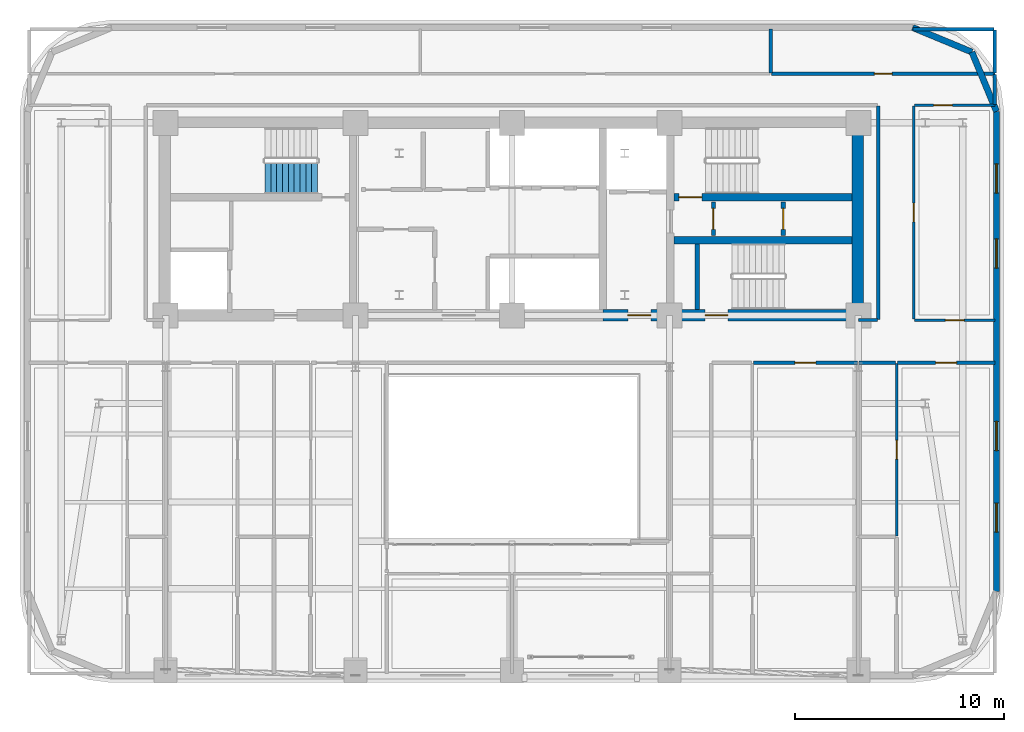
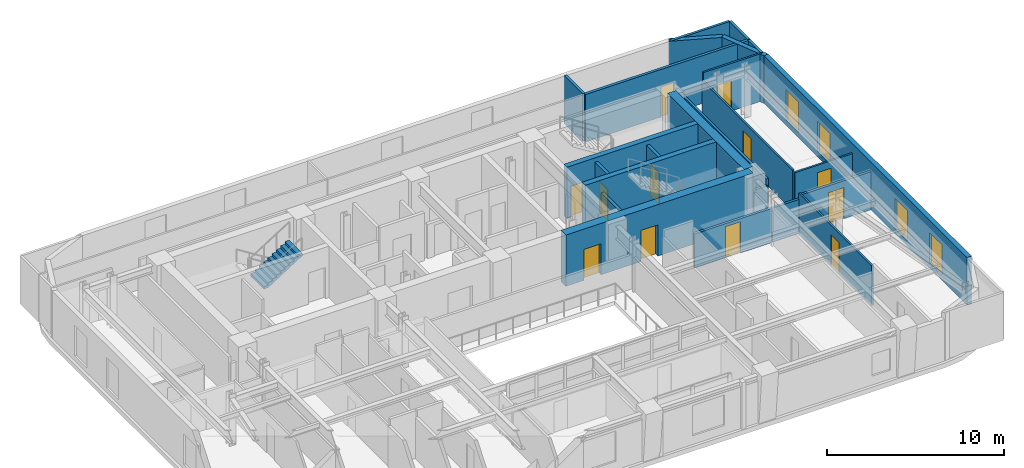
# One storey, part 9 of 13: 24 walls, 12 doors, 4 windows, 1 stair flight, 16 openings, 1 element without a shape of its own.
"""IFC4 building model written with IfcOpenShell, lengths in metres."""

from ifc_helpers import new_model, si_unit, direction, frame, frame_2d, origin, place, context, subcontext, project, spatial, polyline, rectangle, outline, extrude, material, layer, layer_set, type_object, element, fill, aggregate, save


model = new_model("IFC4")

# Units and contexts
model_context = context("Model", 3, precision=1e-05, world=origin(), true_north=direction((0.0, 1.0)))
body_context = subcontext(model_context, "Body", "Model", "MODEL_VIEW")
ifc_project = project(units=[si_unit("LENGTHUNIT", "METRE"), si_unit("AREAUNIT", "SQUARE_METRE"), si_unit("VOLUMEUNIT", "CUBIC_METRE"), si_unit("PLANEANGLEUNIT", "RADIAN"), si_unit("MASSUNIT", "GRAM", prefix="KILO")], contexts=[model_context])

# Site, building, storey
site_placement = place(None, origin())
site = spatial("IfcSite", under=ifc_project, at=site_placement, CompositionType="ELEMENT")
building_placement = place(site_placement, origin())
building = spatial("IfcBuilding", under=site, at=building_placement, Name="Zarnavel Station Tower", CompositionType="ELEMENT")
storey_placement = place(building_placement, frame((0.0, 0.0, 169.64990234375)))
storey = spatial("IfcBuildingStorey", under=building, at=storey_placement, Name="L46", CompositionType="ELEMENT", Elevation=169.64990234375)

# Wall, opening, door
ifc_material_1 = material(Name="Concrete C50/60", Category="concrete")
ifc_layer_1 = layer(ifc_material_1, 0.35009765625)
ifc_layer_set_1 = layer_set([ifc_layer_1], Name="CW_350")
wall_type_1 = type_object("IfcWallType", Name="CW_350", PredefinedType="SHEAR", material=ifc_layer_set_1)
wall_1_placement = place(storey_placement, frame((45.10498046875, 33.47998046875, 0.0), z_axis=(0.0, 0.0, 1.0), x_axis=(-1.0, 0.0, 0.0)))
wall_1 = element("IfcWall", 1, at=wall_1_placement, inside=storey, type_object=wall_type_1, Name="L46 Rear Core Shear Wall DIV-H2", PredefinedType="SHEAR", context=body_context, shape_type="SweptSolid", body=[
    extrude(rectangle(XDim=8.550048828125, YDim=0.35009765625, at=frame_2d((4.27490234375, 0.0))), origin(), (0.0, 0.0, 1.0), 3.550048828125),
])
opening_1_placement = place(wall_1_placement, frame((7.205078125, 0.0, 0.0)))
opening_1 = element("IfcOpeningElement", 2, at=opening_1_placement, cuts=wall_1, Name="Opening FD01", PredefinedType="OPENING", context=body_context, shape_type="SweptSolid", body=[
    extrude(rectangle(XDim=1.10009765625, YDim=2.14990234375, at=frame_2d((0.550048828125, 1.074951171875))), frame((0.0, 0.18505859375, 0.0), z_axis=(0.0, -1.0, 0.0), x_axis=(1.0, 0.0, 0.0)), (0.0, 0.0, 1.0), 0.3701171875),
])
ifc_material_2 = material(Name="Painted Galvanised Steel and Hardwood Leaf", Category="steel")
door_type_1 = type_object("IfcDoorType", Name="ID_STAIR_1100", OperationType="NOTDEFINED", PredefinedType="DOOR", material=ifc_material_2)
door_1_placement = place(opening_1_placement, origin())
door_1 = element("IfcDoor", 3, at=door_1_placement, inside=storey, type_object=door_type_1, Name="L46 Stair ST2 Lobby Fire Door", OperationType="SINGLE_SWING_RIGHT", OverallHeight=2.14990234375, OverallWidth=1.10009765625, PredefinedType="DOOR", context=body_context, shape_type="SweptSolid", body=[
    extrude(rectangle(XDim=1.10009765625, YDim=2.14990234375, at=frame_2d((0.550048828125, 1.074951171875))), frame((0.0, 0.02490234375, 0.0), z_axis=(0.0, -1.0, 0.0), x_axis=(1.0, 0.0, 0.0)), (0.0, 0.0, 1.0), 0.050048828125),
])
fill(opening_1, door_1)

# Wall
wall_2_placement = place(storey_placement, frame((36.554931640625, 31.419921875, 0.0), z_axis=(0.0, 0.0, 1.0), x_axis=(1.0, 0.0, 0.0)))
element("IfcWall", 4, at=wall_2_placement, inside=storey, type_object=wall_type_1, Name="L46 Rear Core Shear Wall DIV-H3", PredefinedType="SHEAR", context=body_context, shape_type="SweptSolid", body=[
    extrude(rectangle(XDim=8.550048828125, YDim=0.35009765625, at=frame_2d((4.27490234375, 0.0))), origin(), (0.0, 0.0, 1.0), 3.550048828125),
])

# Wall, openings, doors
ifc_material_3 = material(Name="Concrete C50/60", Category="concrete")
ifc_layer_2 = layer(ifc_material_3, 0.550048828125)
ifc_layer_set_2 = layer_set([ifc_layer_2], Name="CW_550")
wall_type_2 = type_object("IfcWallType", Name="CW_550", PredefinedType="SHEAR", material=ifc_layer_set_2)
wall_3_placement = place(storey_placement, frame((45.3798828125, 27.820068359375, 0.0), z_axis=(0.0, 0.0, 1.0), x_axis=(-1.0, 0.0, 0.0)))
wall_3 = element("IfcWall", 5, at=wall_3_placement, inside=storey, type_object=wall_type_2, Name="L46 Rear Core Shear Wall S-E", PredefinedType="SHEAR", context=body_context, shape_type="SweptSolid", body=[
    extrude(rectangle(XDim=12.22998046875, YDim=0.550048828125, at=frame_2d((6.114990234375, 0.0))), origin(), (0.0, 0.0, 1.0), 3.550048828125),
])
opening_2_placement = place(wall_3_placement, frame((9.929931640625, 0.0, 0.0)))
opening_2 = element("IfcOpeningElement", 6, at=opening_2_placement, cuts=wall_3, Name="Opening FD01", PredefinedType="OPENING", context=body_context, shape_type="SweptSolid", body=[
    extrude(rectangle(XDim=1.10009765625, YDim=2.14990234375, at=frame_2d((0.550048828125, 1.074951171875))), frame((0.0, 0.284912109375, 0.0), z_axis=(0.0, -1.0, 0.0), x_axis=(1.0, 0.0, 0.0)), (0.0, 0.0, 1.0), 0.570068359375),
])
opening_3_placement = place(wall_3_placement, frame((6.22998046875, 0.0, 0.0)))
opening_3 = element("IfcOpeningElement", 7, at=opening_3_placement, cuts=wall_3, Name="Opening FD01", PredefinedType="OPENING", context=body_context, shape_type="SweptSolid", body=[
    extrude(rectangle(XDim=1.10009765625, YDim=2.14990234375, at=frame_2d((0.550048828125, 1.074951171875))), frame((0.0, 0.284912109375, 0.0), z_axis=(0.0, -1.0, 0.0), x_axis=(1.0, 0.0, 0.0)), (0.0, 0.0, 1.0), 0.570068359375),
])
door_2_placement = place(opening_2_placement, origin())
door_2 = element("IfcDoor", 8, at=door_2_placement, inside=storey, type_object=door_type_1, Name="L46 East Firefighting Lobby Door", OperationType="SINGLE_SWING_LEFT", OverallHeight=2.14990234375, OverallWidth=1.10009765625, PredefinedType="DOOR", context=body_context, shape_type="SweptSolid", body=[
    extrude(rectangle(XDim=1.10009765625, YDim=2.14990234375, at=frame_2d((0.550048828125, 1.074951171875))), frame((0.0, 0.02490234375, 0.0), z_axis=(0.0, -1.0, 0.0), x_axis=(1.0, 0.0, 0.0)), (0.0, 0.0, 1.0), 0.050048828125),
])
fill(opening_2, door_2)
door_3_placement = place(opening_3_placement, origin())
door_3 = element("IfcDoor", 9, at=door_3_placement, inside=storey, type_object=door_type_1, Name="L46 Stair ST3 Corridor Fire Door", OperationType="SINGLE_SWING_RIGHT", OverallHeight=2.14990234375, OverallWidth=1.10009765625, PredefinedType="DOOR", context=body_context, shape_type="SweptSolid", body=[
    extrude(rectangle(XDim=1.10009765625, YDim=2.14990234375, at=frame_2d((0.550048828125, 1.074951171875))), frame((0.0, 0.02490234375, 0.0), z_axis=(0.0, -1.0, 0.0), x_axis=(1.0, 0.0, 0.0)), (0.0, 0.0, 1.0), 0.050048828125),
])
fill(opening_3, door_3)

# Wall
wall_4_placement = place(storey_placement, frame((45.3798828125, 28.094970703125, 0.0), z_axis=(0.0, 0.0, 1.0), x_axis=(0.0, 1.0, 0.0)))
element("IfcWall", 10, at=wall_4_placement, inside=storey, type_object=wall_type_2, Name="L46 Rear Core Shear Wall E", PredefinedType="SHEAR", context=body_context, shape_type="SweptSolid", body=[
    extrude(rectangle(XDim=8.679931640625, YDim=0.550048828125, at=frame_2d((4.33984375, 0.0))), origin(), (0.0, 0.0, 1.0), 3.550048828125),
])

# Wall, openings, windows
ifc_material_4 = material(Name="Precast concrete C45/55 (Dark Basalt Finish)", Category="masonry")
ifc_layer_3 = layer(ifc_material_4, 0.300048828125)
ifc_layer_set_3 = layer_set([ifc_layer_3], Name="EW_BASALT_300")
wall_type_3 = type_object("IfcWallType", Name="EW_BASALT_300", PredefinedType="SOLIDWALL", material=ifc_layer_set_3)
wall_5_placement = place(storey_placement, frame((52.02001953125, 37.60009765625, 0.0), z_axis=(0.0, 0.0, 1.0), x_axis=(0.0, -1.0, 0.0)))
wall_5 = element("IfcWall", 11, at=wall_5_placement, inside=storey, type_object=wall_type_3, Name="L46 Exterior Basalt Masonry Frame Wall 03", PredefinedType="SOLIDWALL", context=body_context, shape_type="SweptSolid", body=[
    extrude(rectangle(XDim=23.0, YDim=0.300048828125, at=frame_2d((11.5, 0.0))), origin(), (0.0, 0.0, 1.0), 3.2900390625),
])
opening_4_placement = place(wall_5_placement, frame((2.51318359375, 0.0, 0.340087890625)))
opening_4 = element("IfcOpeningElement", 12, at=opening_4_placement, cuts=wall_5, Name="Opening WN04", PredefinedType="OPENING", context=body_context, shape_type="SweptSolid", body=[
    extrude(rectangle(XDim=1.39990234375, YDim=2.10009765625, at=frame_2d((0.699951171875, 1.050048828125))), frame((0.0, 0.159912109375, 0.0), z_axis=(0.0, -1.0, 0.0), x_axis=(1.0, 0.0, 0.0)), (0.0, 0.0, 1.0), 0.320068359375),
])
opening_5_placement = place(wall_5_placement, frame((6.106689453125, 0.0, 0.340087890625)))
opening_5 = element("IfcOpeningElement", 13, at=opening_5_placement, cuts=wall_5, Name="Opening WN04", PredefinedType="OPENING", context=body_context, shape_type="SweptSolid", body=[
    extrude(rectangle(XDim=1.39990234375, YDim=2.10009765625, at=frame_2d((0.699951171875, 1.050048828125))), frame((0.0, 0.159912109375, 0.0), z_axis=(0.0, -1.0, 0.0), x_axis=(1.0, 0.0, 0.0)), (0.0, 0.0, 1.0), 0.320068359375),
])
opening_6_placement = place(wall_5_placement, frame((14.860107421875, 0.0, 0.340087890625)))
opening_6 = element("IfcOpeningElement", 14, at=opening_6_placement, cuts=wall_5, Name="Opening WN04", PredefinedType="OPENING", context=body_context, shape_type="SweptSolid", body=[
    extrude(rectangle(XDim=1.39990234375, YDim=2.10009765625, at=frame_2d((0.699951171875, 1.050048828125))), frame((0.0, 0.159912109375, 0.0), z_axis=(0.0, -1.0, 0.0), x_axis=(1.0, 0.0, 0.0)), (0.0, 0.0, 1.0), 0.320068359375),
])
opening_7_placement = place(wall_5_placement, frame((18.77001953125, 0.0, 0.340087890625)))
opening_7 = element("IfcOpeningElement", 15, at=opening_7_placement, cuts=wall_5, Name="Opening WN04", PredefinedType="OPENING", context=body_context, shape_type="SweptSolid", body=[
    extrude(rectangle(XDim=1.39990234375, YDim=2.10009765625, at=frame_2d((0.699951171875, 1.050048828125))), frame((0.0, 0.159912109375, 0.0), z_axis=(0.0, -1.0, 0.0), x_axis=(1.0, 0.0, 0.0)), (0.0, 0.0, 1.0), 0.320068359375),
])
ifc_material_5 = material(Name="Thermally Broken Black Aluminium and Low-E Dark Glass", Category="aluminium")
window_type = type_object("IfcWindowType", Name="WN_1400x2100", PartitioningType="DOUBLE_PANEL_VERTICAL", PredefinedType="WINDOW", material=ifc_material_5)
window_1_placement = place(opening_4_placement, origin())
window_1 = element("IfcWindow", 16, at=window_1_placement, inside=storey, type_object=window_type, Name="L46 Recessed Facade Window 01", OverallHeight=2.10009765625, OverallWidth=1.39990234375, PartitioningType="SINGLE_PANEL", PredefinedType="WINDOW", context=body_context, shape_type="SweptSolid", body=[
    extrude(rectangle(XDim=1.39990234375, YDim=2.10009765625, at=frame_2d((0.699951171875, 1.050048828125))), frame((0.0, 0.030029296875, 0.0), z_axis=(0.0, -1.0, 0.0), x_axis=(1.0, 0.0, 0.0)), (0.0, 0.0, 1.0), 0.06005859375),
])
fill(opening_4, window_1)
window_2_placement = place(opening_5_placement, origin())
window_2 = element("IfcWindow", 17, at=window_2_placement, inside=storey, type_object=window_type, Name="L46 Recessed Facade Window 02", OverallHeight=2.10009765625, OverallWidth=1.39990234375, PartitioningType="SINGLE_PANEL", PredefinedType="WINDOW", context=body_context, shape_type="SweptSolid", body=[
    extrude(rectangle(XDim=1.39990234375, YDim=2.10009765625, at=frame_2d((0.699951171875, 1.050048828125))), frame((0.0, 0.030029296875, 0.0), z_axis=(0.0, -1.0, 0.0), x_axis=(1.0, 0.0, 0.0)), (0.0, 0.0, 1.0), 0.06005859375),
])
fill(opening_5, window_2)
window_3_placement = place(opening_6_placement, origin())
window_3 = element("IfcWindow", 18, at=window_3_placement, inside=storey, type_object=window_type, Name="L46 Recessed Facade Window 03", OverallHeight=2.10009765625, OverallWidth=1.39990234375, PartitioningType="SINGLE_PANEL", PredefinedType="WINDOW", context=body_context, shape_type="SweptSolid", body=[
    extrude(rectangle(XDim=1.39990234375, YDim=2.10009765625, at=frame_2d((0.699951171875, 1.050048828125))), frame((0.0, 0.030029296875, 0.0), z_axis=(0.0, -1.0, 0.0), x_axis=(1.0, 0.0, 0.0)), (0.0, 0.0, 1.0), 0.06005859375),
])
fill(opening_6, window_3)
window_4_placement = place(opening_7_placement, origin())
window_4 = element("IfcWindow", 19, at=window_4_placement, inside=storey, type_object=window_type, Name="L46 Recessed Facade Window 04", OverallHeight=2.10009765625, OverallWidth=1.39990234375, PartitioningType="SINGLE_PANEL", PredefinedType="WINDOW", context=body_context, shape_type="SweptSolid", body=[
    extrude(rectangle(XDim=1.39990234375, YDim=2.10009765625, at=frame_2d((0.699951171875, 1.050048828125))), frame((0.0, 0.030029296875, 0.0), z_axis=(0.0, -1.0, 0.0), x_axis=(1.0, 0.0, 0.0)), (0.0, 0.0, 1.0), 0.06005859375),
])
fill(opening_7, window_4)

# Walls
for number, where, z_axis, x_axis, name in (
    (20, (50.842529296875, 40.442626953125, 0.0), (0.0, 0.0, 1.0), (0.382704529509, -0.923870793506, 0.0), "L46 Exterior Basalt Masonry Frame Wall 04"),
    (21, (48.0, 41.6201171875, 0.0), (0.0, 0.0, 1.0), (0.923870793506, -0.382704529509, 0.0), "L46 Exterior Basalt Masonry Frame Wall 05"),
):
    element("IfcWall", number, at=place(storey_placement, frame(where, z_axis=z_axis, x_axis=x_axis)), inside=storey, type_object=wall_type_3, Name=name, PredefinedType="SOLIDWALL", context=body_context, shape_type="SweptSolid", body=[
        extrude(rectangle(XDim=3.07666015625, YDim=0.300048828125, at=frame_2d((1.538330078125, 0.0))), origin(), (0.0, 0.0, 1.0), 3.2900390625),
    ])

# Wall, opening, door
ifc_material_6 = material(Name="Gypsum Twin-Stud Acoustic Fire Partition", Category="concrete")
ifc_layer_4 = layer(ifc_material_6, 0.159912109375)
ifc_layer_set_4 = layer_set([ifc_layer_4], Name="PT_DEMISE_160")
wall_type_4 = type_object("IfcWallType", Name="PT_DEMISE_160", PredefinedType="PARTITIONING", material=ifc_layer_set_4)
wall_6_placement = place(storey_placement, frame((40.364013671875, 25.550048828125, 0.0), z_axis=(0.0, 0.0, 1.0), x_axis=(1.0, 0.0, 0.0)))
wall_6 = element("IfcWall", 22, at=wall_6_placement, inside=storey, type_object=wall_type_4, Name="L46 Partition COR-S-HE1R", PredefinedType="PARTITIONING", context=body_context, shape_type="SweptSolid", body=[
    extrude(rectangle(XDim=4.99609375, YDim=0.159912109375, at=frame_2d((2.498046875, 0.0))), origin(), (0.0, 0.0, 1.0), 2.360107421875),
])
opening_8_placement = place(wall_6_placement, frame((1.998046875, 0.0, 0.0)))
opening_8 = element("IfcOpeningElement", 23, at=opening_8_placement, cuts=wall_6, Name="Opening FD02", PredefinedType="OPENING", context=body_context, shape_type="SweptSolid", body=[
    extrude(rectangle(XDim=1.0, YDim=2.14990234375, at=frame_2d((0.5, 1.074951171875))), frame((0.0, 0.08984375, 0.0), z_axis=(0.0, -1.0, 0.0), x_axis=(1.0, 0.0, 0.0)), (0.0, 0.0, 1.0), 0.179931640625),
])
ifc_material_7 = material(Name="Painted Galvanised Steel and Hardwood Leaf", Category="steel")
door_type_2 = type_object("IfcDoorType", Name="ID_ENTRY_1000", OperationType="NOTDEFINED", PredefinedType="DOOR", material=ifc_material_7)
door_4_placement = place(opening_8_placement, origin())
door_4 = element("IfcDoor", 24, at=door_4_placement, inside=storey, type_object=door_type_2, Name="L46 Door COR-S-HE1R", OperationType="SINGLE_SWING_LEFT", OverallHeight=2.14990234375, OverallWidth=1.0, PredefinedType="DOOR", context=body_context, shape_type="SweptSolid", body=[
    extrude(rectangle(XDim=1.0, YDim=2.14990234375, at=frame_2d((0.5, 1.074951171875))), frame((0.0, 0.02490234375, 0.0), z_axis=(0.0, -1.0, 0.0), x_axis=(1.0, 0.0, 0.0)), (0.0, 0.0, 1.0), 0.050048828125),
])
fill(opening_8, door_4)

wall_7_placement = place(storey_placement, frame((47.27099609375, 25.550048828125, 0.0), z_axis=(0.0, 0.0, 1.0), x_axis=(1.0, 0.0, 0.0)))
wall_7 = element("IfcWall", 25, at=wall_7_placement, inside=storey, type_object=wall_type_4, Name="L46 Partition COR-S-HE2R", PredefinedType="PARTITIONING", context=body_context, shape_type="SweptSolid", body=[
    extrude(rectangle(XDim=4.6689453125, YDim=0.159912109375, at=frame_2d((2.33447265625, 0.0))), origin(), (0.0, 0.0, 1.0), 2.6201171875),
])
opening_9_placement = place(wall_7_placement, frame((1.83447265625, 0.0, 0.0)))
opening_9 = element("IfcOpeningElement", 26, at=opening_9_placement, cuts=wall_7, Name="Opening FD02", PredefinedType="OPENING", context=body_context, shape_type="SweptSolid", body=[
    extrude(rectangle(XDim=1.0, YDim=2.14990234375, at=frame_2d((0.5, 1.074951171875))), frame((0.0, 0.08984375, 0.0), z_axis=(0.0, -1.0, 0.0), x_axis=(1.0, 0.0, 0.0)), (0.0, 0.0, 1.0), 0.179931640625),
])
door_5_placement = place(opening_9_placement, origin())
door_5 = element("IfcDoor", 27, at=door_5_placement, inside=storey, type_object=door_type_2, Name="L46 Door COR-S-HE2R", OperationType="SINGLE_SWING_RIGHT", OverallHeight=2.14990234375, OverallWidth=1.0, PredefinedType="DOOR", context=body_context, shape_type="SweptSolid", body=[
    extrude(rectangle(XDim=1.0, YDim=2.14990234375, at=frame_2d((0.5, 1.074951171875))), frame((0.0, 0.02490234375, 0.0), z_axis=(0.0, -1.0, 0.0), x_axis=(1.0, 0.0, 0.0)), (0.0, 0.0, 1.0), 0.050048828125),
])
fill(opening_9, door_5)

# Walls
wall_8_placement = place(storey_placement, frame((45.43994140625, 25.550048828125, 0.0), z_axis=(0.0, 0.0, 1.0), x_axis=(1.0, 0.0, 0.0)))
element("IfcWall", 28, at=wall_8_placement, inside=storey, type_object=wall_type_4, Name="L46 Partition COR-S-HE2S", PredefinedType="PARTITIONING", context=body_context, shape_type="SweptSolid", body=[
    extrude(rectangle(XDim=1.7509765625, YDim=0.159912109375, at=frame_2d((0.87548828125, 0.0))), origin(), (0.0, 0.0, 1.0), 2.360107421875),
])
wall_9_placement = place(storey_placement, frame((45.409912109375, 27.60009765625, 0.0), z_axis=(0.0, 0.0, 1.0), x_axis=(1.0, 0.0, 0.0)))
element("IfcWall", 29, at=wall_9_placement, inside=storey, type_object=wall_type_4, Name="L46 Enclosure Wall COR-S", PredefinedType="PARTITIONING", context=body_context, shape_type="SweptSolid", body=[
    extrude(rectangle(XDim=0.91015625, YDim=0.159912109375, at=frame_2d((0.455078125, 0.0))), origin(), (0.0, 0.0, 1.0), 2.360107421875),
])
wall_10_placement = place(storey_placement, frame((46.35009765625, 27.6298828125, 0.0), z_axis=(0.0, 0.0, 1.0), x_axis=(0.0, 1.0, 0.0)))
element("IfcWall", 30, at=wall_10_placement, inside=storey, type_object=wall_type_4, Name="L46 Enclosure Wall COR-E", PredefinedType="PARTITIONING", context=body_context, shape_type="SweptSolid", body=[
    extrude(rectangle(XDim=10.240234375, YDim=0.159912109375, at=frame_2d((5.1201171875, 0.0))), origin(), (0.0, 0.0, 1.0), 2.77001953125),
])
wall_11_placement = place(storey_placement, frame((51.93994140625, 37.929931640625, 0.0), z_axis=(0.0, 0.0, 1.0), x_axis=(0.0, 1.0, 0.0)))
element("IfcWall", 31, at=wall_11_placement, inside=storey, type_object=wall_type_4, Name="L46 Enclosure Wall COR-N", PredefinedType="PARTITIONING", context=body_context, shape_type="SweptSolid", body=[
    extrude(rectangle(XDim=1.440185546875, YDim=0.159912109375, at=frame_2d((0.72021484375, 0.0))), origin(), (0.0, 0.0, 1.0), 3.2900390625),
])
wall_12_placement = place(storey_placement, frame((48.030029296875, 41.5400390625, 0.0), z_axis=(0.0, 0.0, 1.0), x_axis=(1.0, 0.0, 0.0)))
element("IfcWall", 32, at=wall_12_placement, inside=storey, type_object=wall_type_4, Name="L46 Enclosure Wall NWC", PredefinedType="PARTITIONING", context=body_context, shape_type="SweptSolid", body=[
    extrude(rectangle(XDim=3.8798828125, YDim=0.159912109375, at=frame_2d((1.93994140625, 0.0))), origin(), (0.0, 0.0, 1.0), 3.2900390625),
])
wall_13_placement = place(storey_placement, frame((51.93994140625, 39.429931640625, 0.0), z_axis=(0.0, 0.0, 1.0), x_axis=(0.0, 1.0, 0.0)))
element("IfcWall", 33, at=wall_13_placement, inside=storey, type_object=wall_type_4, Name="L46 Enclosure Wall NWC", PredefinedType="PARTITIONING", context=body_context, shape_type="SweptSolid", body=[
    extrude(rectangle(XDim=2.080078125, YDim=0.159912109375, at=frame_2d((1.0400390625, 0.0))), origin(), (0.0, 0.0, 1.0), 3.2900390625),
])

# Wall, opening, door
ifc_material_8 = material(Name="Gypsum Metal-Stud Interior Partition", Category="concrete")
ifc_layer_5 = layer(ifc_material_8, 0.1201171875)
ifc_layer_set_5 = layer_set([ifc_layer_5], Name="PT_ROOM_120")
wall_type_5 = type_object("IfcWallType", Name="PT_ROOM_120", PredefinedType="PARTITIONING", material=ifc_layer_set_5)
wall_14_placement = place(storey_placement, frame((48.090087890625, 27.60009765625, 0.0), z_axis=(0.0, 0.0, 1.0), x_axis=(1.0, 0.0, 0.0)))
wall_14 = element("IfcWall", 34, at=wall_14_placement, inside=storey, type_object=wall_type_5, Name="L46 Partition COR-S-FNE", PredefinedType="PARTITIONING", context=body_context, shape_type="SweptSolid", body=[
    extrude(rectangle(XDim=3.849853515625, YDim=0.1201171875, at=frame_2d((1.9248046875, 0.0))), origin(), (0.0, 0.0, 1.0), 2.6201171875),
])
opening_10_placement = place(wall_14_placement, frame((1.47509765625, 0.0, 0.0)))
opening_10 = element("IfcOpeningElement", 35, at=opening_10_placement, cuts=wall_14, Name="Opening ID01", PredefinedType="OPENING", context=body_context, shape_type="SweptSolid", body=[
    extrude(rectangle(XDim=0.89990234375, YDim=2.10009765625, at=frame_2d((0.449951171875, 1.050048828125))), frame((0.0, 0.070068359375, 0.0), z_axis=(0.0, -1.0, 0.0), x_axis=(1.0, 0.0, 0.0)), (0.0, 0.0, 1.0), 0.14013671875),
])
ifc_material_9 = material(Name="Painted Galvanised Steel and Hardwood Leaf", Category="steel")
door_type_3 = type_object("IfcDoorType", Name="ID_ROOM_900", OperationType="NOTDEFINED", PredefinedType="DOOR", material=ifc_material_9)
door_6_placement = place(opening_10_placement, origin())
door_6 = element("IfcDoor", 36, at=door_6_placement, inside=storey, type_object=door_type_3, Name="L46 Door COR-S-FNE", OperationType="SINGLE_SWING_LEFT", OverallHeight=2.10009765625, OverallWidth=0.89990234375, PredefinedType="DOOR", context=body_context, shape_type="SweptSolid", body=[
    extrude(rectangle(XDim=0.89990234375, YDim=2.10009765625, at=frame_2d((0.449951171875, 1.050048828125))), frame((0.0, 0.02490234375, 0.0), z_axis=(0.0, -1.0, 0.0), x_axis=(1.0, 0.0, 0.0)), (0.0, 0.0, 1.0), 0.050048828125),
])
fill(opening_10, door_6)

wall_15_placement = place(storey_placement, frame((48.050048828125, 27.639892578125, 0.0), z_axis=(0.0, 0.0, 1.0), x_axis=(0.0, 1.0, 0.0)))
wall_15 = element("IfcWall", 37, at=wall_15_placement, inside=storey, type_object=wall_type_5, Name="L46 Partition COR-E-FNE", PredefinedType="PARTITIONING", context=body_context, shape_type="SweptSolid", body=[
    extrude(rectangle(XDim=10.22021484375, YDim=0.1201171875, at=frame_2d((5.110107421875, 0.0))), origin(), (0.0, 0.0, 1.0), 2.77001953125),
])
opening_11_placement = place(wall_15_placement, frame((4.659912109375, 0.0, 0.0)))
opening_11 = element("IfcOpeningElement", 38, at=opening_11_placement, cuts=wall_15, Name="Opening ID01", PredefinedType="OPENING", context=body_context, shape_type="SweptSolid", body=[
    extrude(rectangle(XDim=0.89990234375, YDim=2.10009765625, at=frame_2d((0.449951171875, 1.050048828125))), frame((0.0, 0.070068359375, 0.0), z_axis=(0.0, -1.0, 0.0), x_axis=(1.0, 0.0, 0.0)), (0.0, 0.0, 1.0), 0.14013671875),
])
door_7_placement = place(opening_11_placement, origin())
door_7 = element("IfcDoor", 39, at=door_7_placement, inside=storey, type_object=door_type_3, Name="L46 Door COR-E-FNE", OperationType="SINGLE_SWING_RIGHT", OverallHeight=2.10009765625, OverallWidth=0.89990234375, PredefinedType="DOOR", context=body_context, shape_type="SweptSolid", body=[
    extrude(rectangle(XDim=0.89990234375, YDim=2.10009765625, at=frame_2d((0.449951171875, 1.050048828125))), frame((0.0, 0.02490234375, 0.0), z_axis=(0.0, -1.0, 0.0), x_axis=(1.0, 0.0, 0.0)), (0.0, 0.0, 1.0), 0.050048828125),
])
fill(opening_11, door_7)

wall_16_placement = place(storey_placement, frame((48.090087890625, 37.89990234375, 0.0), z_axis=(0.0, 0.0, 1.0), x_axis=(1.0, 0.0, 0.0)))
wall_16 = element("IfcWall", 40, at=wall_16_placement, inside=storey, type_object=wall_type_5, Name="L46 Partition COR-N-FNE", PredefinedType="PARTITIONING", context=body_context, shape_type="SweptSolid", body=[
    extrude(rectangle(XDim=3.849853515625, YDim=0.1201171875, at=frame_2d((1.9248046875, 0.0))), origin(), (0.0, 0.0, 1.0), 3.2900390625),
])
opening_12_placement = place(wall_16_placement, frame((0.918701171875, 0.0, 0.0)))
opening_12 = element("IfcOpeningElement", 41, at=opening_12_placement, cuts=wall_16, Name="Opening ID01", PredefinedType="OPENING", context=body_context, shape_type="SweptSolid", body=[
    extrude(rectangle(XDim=0.89990234375, YDim=2.10009765625, at=frame_2d((0.449951171875, 1.050048828125))), frame((0.0, 0.070068359375, 0.0), z_axis=(0.0, -1.0, 0.0), x_axis=(1.0, 0.0, 0.0)), (0.0, 0.0, 1.0), 0.14013671875),
])
door_8_placement = place(opening_12_placement, origin())
door_8 = element("IfcDoor", 42, at=door_8_placement, inside=storey, type_object=door_type_3, Name="L46 Door COR-N-FNE", OperationType="SINGLE_SWING_RIGHT", OverallHeight=2.10009765625, OverallWidth=0.89990234375, PredefinedType="DOOR", context=body_context, shape_type="SweptSolid", body=[
    extrude(rectangle(XDim=0.89990234375, YDim=2.10009765625, at=frame_2d((0.449951171875, 1.050048828125))), frame((0.0, 0.02490234375, 0.0), z_axis=(0.0, -1.0, 0.0), x_axis=(1.0, 0.0, 0.0)), (0.0, 0.0, 1.0), 0.050048828125),
])
fill(opening_12, door_8)

wall_17_placement = place(storey_placement, frame((47.23095703125, 17.251953125, 0.0), z_axis=(0.0, 0.0, 1.0), x_axis=(0.0, 1.0, 0.0)))
wall_17 = element("IfcWall", 43, at=wall_17_placement, inside=storey, type_object=wall_type_5, Name="L46 Partition HE2R-HE2S", PredefinedType="PARTITIONING", context=body_context, shape_type="SweptSolid", body=[
    extrude(rectangle(XDim=8.258056640625, YDim=0.1201171875, at=frame_2d((4.12890625, 0.0))), origin(), (0.0, 0.0, 1.0), 2.77001953125),
])
opening_13_placement = place(wall_17_placement, frame((3.678955078125, 0.0, 0.0)))
opening_13 = element("IfcOpeningElement", 44, at=opening_13_placement, cuts=wall_17, Name="Opening ID01", PredefinedType="OPENING", context=body_context, shape_type="SweptSolid", body=[
    extrude(rectangle(XDim=0.89990234375, YDim=2.10009765625, at=frame_2d((0.449951171875, 1.050048828125))), frame((0.0, 0.070068359375, 0.0), z_axis=(0.0, -1.0, 0.0), x_axis=(1.0, 0.0, 0.0)), (0.0, 0.0, 1.0), 0.14013671875),
])
door_9_placement = place(opening_13_placement, origin())
door_9 = element("IfcDoor", 45, at=door_9_placement, inside=storey, type_object=door_type_3, Name="L46 Door HE2R-HE2S", OperationType="SINGLE_SWING_RIGHT", OverallHeight=2.10009765625, OverallWidth=0.89990234375, PredefinedType="DOOR", context=body_context, shape_type="SweptSolid", body=[
    extrude(rectangle(XDim=0.89990234375, YDim=2.10009765625, at=frame_2d((0.449951171875, 1.050048828125))), frame((0.0, 0.02490234375, 0.0), z_axis=(0.0, -1.0, 0.0), x_axis=(1.0, 0.0, 0.0)), (0.0, 0.0, 1.0), 0.050048828125),
])
fill(opening_13, door_9)

# Wall
ifc_material_10 = material(Name="Precast concrete C45/55 (Fire Shaft Blockwork)", Category="masonry")
ifc_layer_6 = layer(ifc_material_10, 0.199951171875)
ifc_layer_set_6 = layer_set([ifc_layer_6], Name="PT_SHAFT_200")
wall_type_6 = type_object("IfcWallType", Name="PT_SHAFT_200", PredefinedType="PARTITIONING", material=ifc_layer_set_6)
wall_18_placement = place(storey_placement, frame((37.679931640625, 28.094970703125, 0.0), z_axis=(0.0, 0.0, 1.0), x_axis=(0.0, 1.0, 0.0)))
element("IfcWall", 46, at=wall_18_placement, inside=storey, type_object=wall_type_6, Name="L46 Stair ST3 West Shaft Wall", PredefinedType="PARTITIONING", context=body_context, shape_type="SweptSolid", body=[
    extrude(rectangle(XDim=3.155029296875, YDim=0.199951171875, at=frame_2d((1.57763671875, 0.0))), origin(), (0.0, 0.0, 1.0), 2.670166015625),
])

# Wall, opening, door
wall_19_placement = place(storey_placement, frame((38.449951171875, 31.639892578125, 0.0), z_axis=(0.0, 0.0, 1.0), x_axis=(0.0, 1.0, 0.0)))
wall_19 = element("IfcWall", 47, at=wall_19_placement, inside=storey, type_object=wall_type_6, Name="L46 Partition ESTV-CEA", PredefinedType="PARTITIONING", context=body_context, shape_type="SweptSolid", body=[
    extrude(rectangle(XDim=1.6201171875, YDim=0.199951171875, at=frame_2d((0.81005859375, 0.0))), origin(), (0.0, 0.0, 1.0), 3.2900390625),
])
opening_14_placement = place(wall_19_placement, frame((0.31005859375, 0.0, 0.0)))
opening_14 = element("IfcOpeningElement", 48, at=opening_14_placement, cuts=wall_19, Name="Opening FD02", PredefinedType="OPENING", context=body_context, shape_type="SweptSolid", body=[
    extrude(rectangle(XDim=1.0, YDim=2.14990234375, at=frame_2d((0.5, 1.074951171875))), frame((0.0, 0.10986328125, 0.0), z_axis=(0.0, -1.0, 0.0), x_axis=(1.0, 0.0, 0.0)), (0.0, 0.0, 1.0), 0.219970703125),
])
door_10_placement = place(opening_14_placement, origin())
door_10 = element("IfcDoor", 49, at=door_10_placement, inside=storey, type_object=door_type_2, Name="L46 Door ESTV-CEA", OperationType="SINGLE_SWING_RIGHT", OverallHeight=2.14990234375, OverallWidth=1.0, PredefinedType="DOOR", context=body_context, shape_type="SweptSolid", body=[
    extrude(rectangle(XDim=1.0, YDim=2.14990234375, at=frame_2d((0.5, 1.074951171875))), frame((0.0, 0.02490234375, 0.0), z_axis=(0.0, -1.0, 0.0), x_axis=(1.0, 0.0, 0.0)), (0.0, 0.0, 1.0), 0.050048828125),
])
fill(opening_14, door_10)

wall_20_placement = place(storey_placement, frame((41.800048828125, 31.639892578125, 0.0), z_axis=(0.0, 0.0, 1.0), x_axis=(0.0, 1.0, 0.0)))
wall_20 = element("IfcWall", 50, at=wall_20_placement, inside=storey, type_object=wall_type_6, Name="L46 Partition CEA-CEB", PredefinedType="PARTITIONING", context=body_context, shape_type="SweptSolid", body=[
    extrude(rectangle(XDim=1.6201171875, YDim=0.199951171875, at=frame_2d((0.81005859375, 0.0))), origin(), (0.0, 0.0, 1.0), 3.2900390625),
])
opening_15_placement = place(wall_20_placement, frame((0.31005859375, 0.0, 0.0)))
opening_15 = element("IfcOpeningElement", 51, at=opening_15_placement, cuts=wall_20, Name="Opening FD02", PredefinedType="OPENING", context=body_context, shape_type="SweptSolid", body=[
    extrude(rectangle(XDim=1.0, YDim=2.14990234375, at=frame_2d((0.5, 1.074951171875))), frame((0.0, 0.10986328125, 0.0), z_axis=(0.0, -1.0, 0.0), x_axis=(1.0, 0.0, 0.0)), (0.0, 0.0, 1.0), 0.219970703125),
])
door_11_placement = place(opening_15_placement, origin())
door_11 = element("IfcDoor", 52, at=door_11_placement, inside=storey, type_object=door_type_2, Name="L46 Door CEA-CEB", OperationType="SINGLE_SWING_LEFT", OverallHeight=2.14990234375, OverallWidth=1.0, PredefinedType="DOOR", context=body_context, shape_type="SweptSolid", body=[
    extrude(rectangle(XDim=1.0, YDim=2.14990234375, at=frame_2d((0.5, 1.074951171875))), frame((0.0, 0.02490234375, 0.0), z_axis=(0.0, -1.0, 0.0), x_axis=(1.0, 0.0, 0.0)), (0.0, 0.0, 1.0), 0.050048828125),
])
fill(opening_15, door_11)

ifc_material_11 = material(Name="Moisture-Resistant Plumbing Chase Wall", Category="concrete")
ifc_layer_7 = layer(ifc_material_11, 0.179931640625)
ifc_layer_set_7 = layer_set([ifc_layer_7], Name="PW_PLUMB_180")
wall_type_7 = type_object("IfcWallType", Name="PW_PLUMB_180", PredefinedType="PLUMBINGWALL", material=ifc_layer_set_7)
wall_21_placement = place(storey_placement, frame((41.239990234375, 39.39990234375, 0.0), z_axis=(0.0, 0.0, 1.0), x_axis=(1.0, 0.0, 0.0)))
wall_21 = element("IfcWall", 53, at=wall_21_placement, inside=storey, type_object=wall_type_7, Name="L46 Partition COR-N-NWC", PredefinedType="PLUMBINGWALL", context=body_context, shape_type="SweptSolid", body=[
    extrude(rectangle(XDim=10.699951171875, YDim=0.179931640625, at=frame_2d((5.35009765625, 0.0))), origin(), (0.0, 0.0, 1.0), 3.2900390625),
])
opening_16_placement = place(wall_21_placement, frame((4.925048828125, 0.0, 0.0)))
opening_16 = element("IfcOpeningElement", 54, at=opening_16_placement, cuts=wall_21, Name="Opening ID02", PredefinedType="OPENING", context=body_context, shape_type="SweptSolid", body=[
    extrude(rectangle(XDim=0.85009765625, YDim=2.10009765625, at=frame_2d((0.425048828125, 1.050048828125))), frame((0.0, 0.099853515625, 0.0), z_axis=(0.0, -1.0, 0.0), x_axis=(1.0, 0.0, 0.0)), (0.0, 0.0, 1.0), 0.199951171875),
])
ifc_material_12 = material(Name="Painted Galvanised Steel and Hardwood Leaf", Category="steel")
door_type_4 = type_object("IfcDoorType", Name="ID_BATH_850", OperationType="NOTDEFINED", PredefinedType="DOOR", material=ifc_material_12)
door_12_placement = place(opening_16_placement, origin())
door_12 = element("IfcDoor", 55, at=door_12_placement, inside=storey, type_object=door_type_4, Name="L46 Door COR-N-NWC", OperationType="SINGLE_SWING_LEFT", OverallHeight=2.10009765625, OverallWidth=0.85009765625, PredefinedType="DOOR", context=body_context, shape_type="SweptSolid", body=[
    extrude(rectangle(XDim=0.85009765625, YDim=2.10009765625, at=frame_2d((0.425048828125, 1.050048828125))), frame((0.0, 0.02490234375, 0.0), z_axis=(0.0, -1.0, 0.0), x_axis=(1.0, 0.0, 0.0)), (0.0, 0.0, 1.0), 0.050048828125),
])
fill(opening_16, door_12)

# Wall
wall_22_placement = place(storey_placement, frame((41.199951171875, 39.43994140625, 0.0), z_axis=(0.0, 0.0, 1.0), x_axis=(0.0, 1.0, 0.0)))
element("IfcWall", 56, at=wall_22_placement, inside=storey, type_object=wall_type_7, Name="L46 Partition NSPA-NWC", PredefinedType="PLUMBINGWALL", context=body_context, shape_type="SweptSolid", body=[
    extrude(rectangle(XDim=2.10009765625, YDim=0.179931640625, at=frame_2d((1.050048828125, 0.0))), origin(), (0.0, 0.0, 1.0), 3.2900390625),
])

# Stair, stair flight
ifc_material_13 = material(Name="Concrete C45/55", Category="concrete")
stair_type = type_object("IfcStairType", Name="ST_CORE_150", PredefinedType="HALF_TURN_STAIR", material=ifc_material_13)
stair_placement = place(storey_placement, origin())
stair = element("IfcStair", 57, at=stair_placement, inside=storey, type_object=stair_type, Name="L46 Core Exit Stair ST1", PredefinedType="HALF_TURN_STAIR")
ifc_material_14 = material(Name="Concrete C45/55", Category="concrete")
ifc_layer_8 = layer(ifc_material_14, 0.179931640625)
ifc_layer_set_8 = layer_set([ifc_layer_8], Name="ST_CORE_150_FLT")
stair_flight_type = type_object("IfcStairFlightType", Name="ST_CORE_150_FLT", PredefinedType="STRAIGHT", material=ifc_layer_set_8)
stair_flight_placement = place(storey_placement, frame((16.9599609375, 34.409912109375, 1.775146484375), z_axis=(0.0, 0.0, 1.0), x_axis=(1.0, 0.0, 0.0)))
stair_flight = element("IfcStairFlight", 58, at=stair_flight_placement, type_object=stair_flight_type, Name="ST1 flight 2", NumberOfRisers=10, NumberOfTreads=9, PredefinedType="STRAIGHT", RiserHeight=0.1775, TreadLength=0.28, context=body_context, shape_type="SweptSolid", body=[
    extrude(outline(polyline([(0.0, 0.0), (0.0, 0.177490234375), (0.280029296875, 0.177490234375), (0.280029296875, 0.35498046875), (0.56005859375, 0.35498046875), (0.56005859375, 0.532470703125), (0.840087890625, 0.532470703125), (0.840087890625, 0.7099609375), (1.1201171875, 0.7099609375), (1.1201171875, 0.887451171875), (1.39990234375, 0.887451171875), (1.39990234375, 1.06494140625), (1.679931640625, 1.06494140625), (1.679931640625, 1.242431640625), (1.9599609375, 1.242431640625), (1.9599609375, 1.419921875), (2.239990234375, 1.419921875), (2.239990234375, 1.597412109375), (2.52001953125, 1.597412109375), (2.52001953125, 1.77490234375), (2.52001953125, 1.419921875), (0.280029296875, 0.0), (0.0, 0.0)])), frame((0.0, 0.75, 0.0), z_axis=(0.0, -1.0, 0.0), x_axis=(1.0, 0.0, 0.0)), (0.0, 0.0, 1.0), 1.5),
])
aggregate(stair, [stair_flight])

save(model, "model.ifc")
